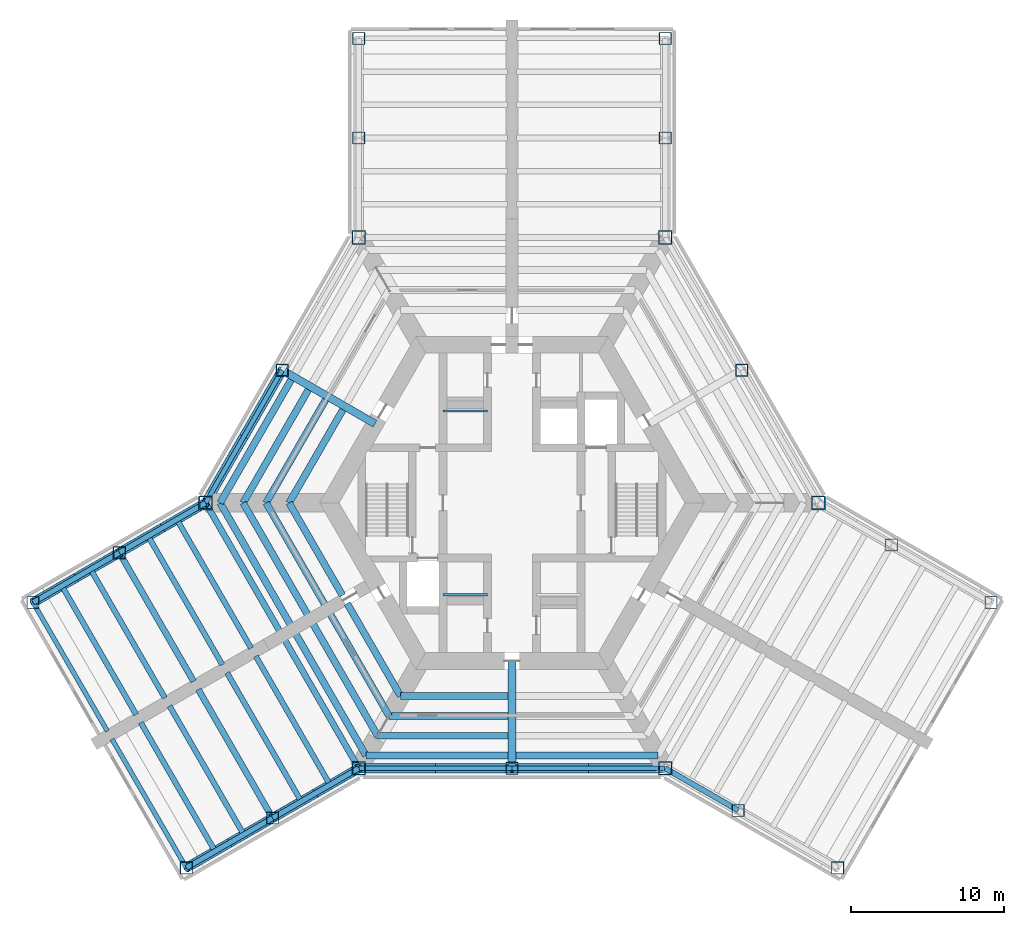
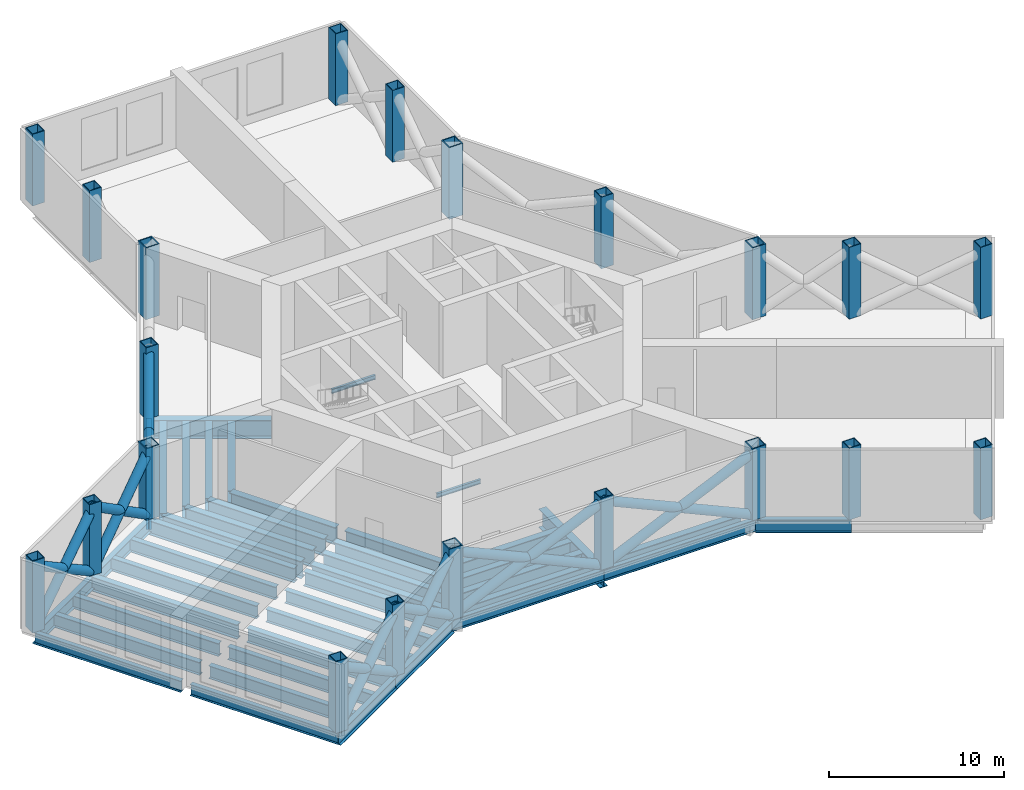
# One storey, part 1 of 8: 43 beams, 21 columns, 14 members.
"""IFC4 building model written with IfcOpenShell, lengths in metres."""

from ifc_helpers import new_model, si_unit, direction, frame, origin, origin_2d, place, context, subcontext, project, spatial, hollow_rectangle, hollow_circle, i_section, extrude, material, material_profile, profile_set, type_object, element, save


model = new_model("IFC4")

# Units and contexts
model_context = context("Model", 3, precision=1e-05, world=origin(), true_north=direction((0.0, 1.0)))
body_context = subcontext(model_context, "Body", "Model", "MODEL_VIEW")
ifc_project = project(units=[si_unit("LENGTHUNIT", "METRE"), si_unit("AREAUNIT", "SQUARE_METRE"), si_unit("VOLUMEUNIT", "CUBIC_METRE"), si_unit("PLANEANGLEUNIT", "RADIAN"), si_unit("MASSUNIT", "GRAM", prefix="KILO")], contexts=[model_context])

# Site, building, storey
site_placement = place(None, origin())
site = spatial("IfcSite", under=ifc_project, at=site_placement, CompositionType="ELEMENT")
building_placement = place(site_placement, origin())
building = spatial("IfcBuilding", under=site, at=building_placement, Name="Kasaneha Research Tower", CompositionType="ELEMENT")
storey_placement = place(building_placement, frame((0.0, 0.0, 123.60009765625)))
storey = spatial("IfcBuildingStorey", under=building, at=storey_placement, Name="L31", CompositionType="ELEMENT", Elevation=123.60009765625)

# Columns
ifc_material_1 = material(Name="Steel SN490C", Category="steel")
ifc_material_profile_1 = material_profile(ifc_material_1, hollow_rectangle(XDim=0.800048828125, YDim=0.800048828125, WallThickness=0.044921875, at=origin_2d()), Name="BOX-800x800x45")
ifc_profile_set_1 = profile_set([ifc_material_profile_1], Name="Steel SN490C")
column_type_1 = type_object("IfcColumnType", Name="C2B column BOX-800x800x45", PredefinedType="COLUMN", material=ifc_profile_set_1)
for number, where, z_axis, x_axis, name in (
    (1, (15.0, 8.66015625, 0.0), (0.0, 0.0, 1.0), (1.0, 0.0, 0.0), "Column M030 L31"),
    (2, (-15.0, 8.66015625, 0.0), (0.0, 0.0, 1.0), (1.0, 0.0, 0.0), "Column M150 L31"),
    (3, (0.0, -17.320556640625, 0.0), (0.0, 0.0, 1.0), (1.0, 0.0, 0.0), "Column M270 L31"),
    (4, (10.0, 23.820556640625, 0.0), (0.0, 0.0, 1.0), (1.0, 0.0, 0.0), "Column ASP L31"),
    (5, (10.0, 30.320556640625, 0.0), (0.0, 0.0, 1.0), (1.0, 0.0, 0.0), "Column ATP L31"),
    (6, (-10.0, 23.820556640625, 0.0), (0.0, 0.0, 1.0), (1.0, 0.0, 0.0), "Column ASN L31"),
    (7, (-10.0, 30.320556640625, 0.0), (0.0, 0.0, 1.0), (1.0, 0.0, 0.0), "Column ATN L31"),
    (8, (-25.629150390625, -3.25, 0.0), (0.0, 0.0, 1.0), (1.0, 0.0, 0.0), "Column BSP L31"),
    (9, (-31.25830078125, -6.5, 0.0), (0.0, 0.0, 1.0), (1.0, 0.0, 0.0), "Column BTP L31"),
    (10, (-15.629150390625, -20.570556640625, 0.0), (0.0, 0.0, 1.0), (1.0, 0.0, 0.0), "Column BSN L31"),
    (11, (-21.25830078125, -23.820556640625, 0.0), (0.0, 0.0, 1.0), (1.0, 0.0, 0.0), "Column BTN L31"),
    (12, (14.76318359375, -20.070556640625, 0.0), (0.0, 0.0, 1.0), (1.0, 0.0, 0.0), "Column CSP L31"),
    (13, (21.25830078125, -23.820556640625, 0.0), (0.0, 0.0, 1.0), (1.0, 0.0, 0.0), "Column CTP L31"),
    (14, (24.76318359375, -2.75, 0.0), (0.0, 0.0, 1.0), (1.0, 0.0, 0.0), "Column CSN L31"),
    (15, (31.25830078125, -6.5, 0.0), (0.0, 0.0, 1.0), (1.0, 0.0, 0.0), "Column CTN L31"),
):
    element("IfcColumn", number, at=place(storey_placement, frame(where, z_axis=z_axis, x_axis=x_axis)), inside=storey, type_object=column_type_1, Name=name, PredefinedType="COLUMN", context=body_context, shape_type="SweptSolid", body=[
        extrude(hollow_rectangle(XDim=0.800048828125, YDim=0.800048828125, WallThickness=0.044921875, at=origin_2d()), origin(), (0.0, 0.0, 1.0), 5.0),
    ])
ifc_material_2 = material(Name="Steel SN490C", Category="steel")
ifc_material_profile_2 = material_profile(ifc_material_2, hollow_rectangle(XDim=0.89990234375, YDim=0.89990234375, WallThickness=0.070068359375, at=origin_2d()), Name="BOX-900x900x70")
ifc_profile_set_2 = profile_set([ifc_material_profile_2], Name="Steel SN490C")
column_type_2 = type_object("IfcColumnType", Name="CT1 column BOX-900x900x70", PredefinedType="COLUMN", material=ifc_profile_set_2)
for number, where, z_axis, x_axis, name in (
    (16, (20.0, 0.0, 0.0), (0.0, 0.0, 1.0), (1.0, 0.0, 0.0), "Column V0 L31"),
    (17, (10.0, 17.320556640625, 0.0), (0.0, 0.0, 1.0), (1.0, 0.0, 0.0), "Column V1 L31"),
    (18, (-10.0, 17.320556640625, 0.0), (0.0, 0.0, 1.0), (1.0, 0.0, 0.0), "Column V2 L31"),
    (19, (-20.0, 0.0, 0.0), (0.0, 0.0, 1.0), (1.0, 0.0, 0.0), "Column V3 L31"),
    (20, (-10.0, -17.320556640625, 0.0), (0.0, 0.0, 1.0), (1.0, 0.0, 0.0), "Column V4 L31"),
    (21, (10.0, -17.320556640625, 0.0), (0.0, 0.0, 1.0), (1.0, 0.0, 0.0), "Column V5 L31"),
):
    element("IfcColumn", number, at=place(storey_placement, frame(where, z_axis=z_axis, x_axis=x_axis)), inside=storey, type_object=column_type_2, Name=name, PredefinedType="COLUMN", context=body_context, shape_type="SweptSolid", body=[
        extrude(hollow_rectangle(XDim=0.89990234375, YDim=0.89990234375, WallThickness=0.070068359375, at=origin_2d()), origin(), (0.0, 0.0, 1.0), 5.0),
    ])

# Beams
ifc_material_3 = material(Name="Steel SN490B", Category="steel")
ifc_material_profile_3 = material_profile(ifc_material_3, i_section(OverallWidth=0.449951171875, OverallDepth=1.199951171875, WebThickness=0.02197265625, FlangeThickness=0.0400390625, at=origin_2d()), Name="BH-1200x450x22x40")
ifc_profile_set_3 = profile_set([ifc_material_profile_3], Name="Steel SN490B")
beam_type_1 = type_object("IfcBeamType", Name="B1-5 secondary beam BH-1200x450x22x40", PredefinedType="JOIST", material=ifc_profile_set_3)
beam_1_placement = place(storey_placement, frame((-14.54931640625, 0.0, -0.85009765625), z_axis=(0.500015274395, 0.866016584929, 0.0), x_axis=(-0.866016584929, 0.500015274395, 0.0)))
element("IfcBeam", 22, at=beam_1_placement, inside=storey, type_object=beam_type_1, Name="Secondary beam RS150R1 L31", PredefinedType="JOIST", context=body_context, shape_type="SweptSolid", body=[
    extrude(i_section(OverallWidth=0.449951171875, OverallDepth=1.199951171875, WebThickness=0.02197265625, FlangeThickness=0.0400390625, at=origin_2d()), origin(), (0.0, 0.0, 1.0), 7.024658203125),
])
beam_2_placement = place(storey_placement, frame((-16.05029296875, 0.0, -0.85009765625), z_axis=(0.499992453835, 0.866029760521, 0.0), x_axis=(-0.866029760521, 0.499992453835, 0.0)))
element("IfcBeam", 23, at=beam_2_placement, inside=storey, type_object=beam_type_1, Name="Secondary beam RS150R2 L31", PredefinedType="JOIST", context=body_context, shape_type="SweptSolid", body=[
    extrude(i_section(OverallWidth=0.449951171875, OverallDepth=1.199951171875, WebThickness=0.02197265625, FlangeThickness=0.0400390625, at=origin_2d()), origin(), (0.0, 0.0, 1.0), 7.77490234375),
])
beam_3_placement = place(storey_placement, frame((-17.551513671875, 0.0, -0.85009765625), z_axis=(0.500004205306, 0.866022975836, 0.0), x_axis=(-0.866022975836, 0.500004205306, 0.0)))
element("IfcBeam", 24, at=beam_3_placement, inside=storey, type_object=beam_type_1, Name="Secondary beam RS150R3 L31", PredefinedType="JOIST", context=body_context, shape_type="SweptSolid", body=[
    extrude(i_section(OverallWidth=0.449951171875, OverallDepth=1.199951171875, WebThickness=0.02197265625, FlangeThickness=0.0400390625, at=origin_2d()), origin(), (0.0, 0.0, 1.0), 8.52587890625),
])
beam_4_placement = place(storey_placement, frame((-19.052490234375, 0.0, -0.85009765625), z_axis=(0.500005712346, 0.866022105735, 0.0), x_axis=(-0.866022105735, 0.500005712346, 0.0)))
element("IfcBeam", 25, at=beam_4_placement, inside=storey, type_object=beam_type_1, Name="Secondary beam RS150R4 L31", PredefinedType="JOIST", context=body_context, shape_type="SweptSolid", body=[
    extrude(i_section(OverallWidth=0.449951171875, OverallDepth=1.199951171875, WebThickness=0.02197265625, FlangeThickness=0.0400390625, at=origin_2d()), origin(), (0.0, 0.0, 1.0), 9.2763671875),
])
beam_5_placement = place(storey_placement, frame((-14.54931640625, 0.0, -0.85009765625), z_axis=(0.499994145342, -0.866028783947, 0.0), x_axis=(0.866028783947, 0.499994145342, 0.0)))
element("IfcBeam", 26, at=beam_5_placement, inside=storey, type_object=beam_type_1, Name="Secondary beam RS210L1 L31", PredefinedType="JOIST", context=body_context, shape_type="SweptSolid", body=[
    extrude(i_section(OverallWidth=0.449951171875, OverallDepth=1.199951171875, WebThickness=0.02197265625, FlangeThickness=0.0400390625, at=origin_2d()), origin(), (0.0, 0.0, 1.0), 6.974609375),
])
beam_6_placement = place(storey_placement, frame((-16.05029296875, 0.0, -0.85009765625), z_axis=(0.499996932259, -0.866027174938, 0.0), x_axis=(0.866027174938, 0.499996932259, 0.0)))
element("IfcBeam", 27, at=beam_6_placement, inside=storey, type_object=beam_type_1, Name="Secondary beam RS210L2 L31", PredefinedType="JOIST", context=body_context, shape_type="SweptSolid", body=[
    extrude(i_section(OverallWidth=0.449951171875, OverallDepth=1.199951171875, WebThickness=0.02197265625, FlangeThickness=0.0400390625, at=origin_2d()), origin(), (0.0, 0.0, 1.0), 7.72509765625),
])
beam_7_placement = place(storey_placement, frame((-17.551513671875, 0.0, -0.85009765625), z_axis=(0.500020829043, -0.866013377797, 0.0), x_axis=(0.866013377797, 0.500020829043, 0.0)))
element("IfcBeam", 28, at=beam_7_placement, inside=storey, type_object=beam_type_1, Name="Secondary beam RS210L3 L31", PredefinedType="JOIST", context=body_context, shape_type="SweptSolid", body=[
    extrude(i_section(OverallWidth=0.449951171875, OverallDepth=1.199951171875, WebThickness=0.02197265625, FlangeThickness=0.0400390625, at=origin_2d()), origin(), (0.0, 0.0, 1.0), 8.475830078125),
])
beam_8_placement = place(storey_placement, frame((-19.052490234375, 0.0, -0.85009765625), z_axis=(0.499989687726, -0.866031357497, 0.0), x_axis=(0.866031357497, 0.499989687726, 0.0)))
element("IfcBeam", 29, at=beam_8_placement, inside=storey, type_object=beam_type_1, Name="Secondary beam RS210L4 L31", PredefinedType="JOIST", context=body_context, shape_type="SweptSolid", body=[
    extrude(i_section(OverallWidth=0.449951171875, OverallDepth=1.199951171875, WebThickness=0.02197265625, FlangeThickness=0.0400390625, at=origin_2d()), origin(), (0.0, 0.0, 1.0), 9.226318359375),
])
beam_9_placement = place(storey_placement, frame((-7.274658203125, -12.60009765625, -0.85009765625), z_axis=(-0.499994145342, 0.866028783947, 0.0), x_axis=(-0.866028783947, -0.499994145342, 0.0)))
element("IfcBeam", 30, at=beam_9_placement, inside=storey, type_object=beam_type_1, Name="Secondary beam RS210R1 L31", PredefinedType="JOIST", context=body_context, shape_type="SweptSolid", body=[
    extrude(i_section(OverallWidth=0.449951171875, OverallDepth=1.199951171875, WebThickness=0.02197265625, FlangeThickness=0.0400390625, at=origin_2d()), origin(), (0.0, 0.0, 1.0), 6.974609375),
])
beam_10_placement = place(storey_placement, frame((-8.025146484375, -13.89990234375, -0.85009765625), z_axis=(-0.499996932259, 0.866027174938, 0.0), x_axis=(-0.866027174938, -0.499996932259, 0.0)))
element("IfcBeam", 31, at=beam_10_placement, inside=storey, type_object=beam_type_1, Name="Secondary beam RS210R2 L31", PredefinedType="JOIST", context=body_context, shape_type="SweptSolid", body=[
    extrude(i_section(OverallWidth=0.449951171875, OverallDepth=1.199951171875, WebThickness=0.02197265625, FlangeThickness=0.0400390625, at=origin_2d()), origin(), (0.0, 0.0, 1.0), 7.72509765625),
])
beam_11_placement = place(storey_placement, frame((-8.775634765625, -15.199951171875, -0.85009765625), z_axis=(-0.500020829043, 0.866013377797, 0.0), x_axis=(-0.866013377797, -0.500020829043, 0.0)))
element("IfcBeam", 32, at=beam_11_placement, inside=storey, type_object=beam_type_1, Name="Secondary beam RS210R3 L31", PredefinedType="JOIST", context=body_context, shape_type="SweptSolid", body=[
    extrude(i_section(OverallWidth=0.449951171875, OverallDepth=1.199951171875, WebThickness=0.02197265625, FlangeThickness=0.0400390625, at=origin_2d()), origin(), (0.0, 0.0, 1.0), 8.475830078125),
])
beam_12_placement = place(storey_placement, frame((-9.5263671875, -16.5, -0.85009765625), z_axis=(-0.499989687726, 0.866031357497, 0.0), x_axis=(-0.866031357497, -0.499989687726, 0.0)))
element("IfcBeam", 33, at=beam_12_placement, inside=storey, type_object=beam_type_1, Name="Secondary beam RS210R4 L31", PredefinedType="JOIST", context=body_context, shape_type="SweptSolid", body=[
    extrude(i_section(OverallWidth=0.449951171875, OverallDepth=1.199951171875, WebThickness=0.02197265625, FlangeThickness=0.0400390625, at=origin_2d()), origin(), (0.0, 0.0, 1.0), 9.226318359375),
])
beam_13_placement = place(storey_placement, frame((-7.274658203125, -12.60009765625, -0.85009765625), z_axis=(1.0, 0.0, 0.0), x_axis=(0.0, 1.0, 0.0)))
element("IfcBeam", 34, at=beam_13_placement, inside=storey, type_object=beam_type_1, Name="Secondary beam RS270L1 L31", PredefinedType="JOIST", context=body_context, shape_type="SweptSolid", body=[
    extrude(i_section(OverallWidth=0.449951171875, OverallDepth=1.199951171875, WebThickness=0.02197265625, FlangeThickness=0.0400390625, at=origin_2d()), origin(), (0.0, 0.0, 1.0), 7.024658203125),
])
beam_14_placement = place(storey_placement, frame((-8.025146484375, -13.89990234375, -0.85009765625), z_axis=(1.0, 0.0, 0.0), x_axis=(0.0, 1.0, 0.0)))
element("IfcBeam", 35, at=beam_14_placement, inside=storey, type_object=beam_type_1, Name="Secondary beam RS270L2 L31", PredefinedType="JOIST", context=body_context, shape_type="SweptSolid", body=[
    extrude(i_section(OverallWidth=0.449951171875, OverallDepth=1.199951171875, WebThickness=0.02197265625, FlangeThickness=0.0400390625, at=origin_2d()), origin(), (0.0, 0.0, 1.0), 7.775146484375),
])
beam_15_placement = place(storey_placement, frame((-8.775634765625, -15.199951171875, -0.85009765625), z_axis=(1.0, 0.0, 0.0), x_axis=(0.0, 1.0, 0.0)))
element("IfcBeam", 36, at=beam_15_placement, inside=storey, type_object=beam_type_1, Name="Secondary beam RS270L3 L31", PredefinedType="JOIST", context=body_context, shape_type="SweptSolid", body=[
    extrude(i_section(OverallWidth=0.449951171875, OverallDepth=1.199951171875, WebThickness=0.02197265625, FlangeThickness=0.0400390625, at=origin_2d()), origin(), (0.0, 0.0, 1.0), 8.525634765625),
])
for number, where, z_axis, x_axis, name in (
    (37, (-9.5263671875, -16.5, -0.85009765625), (1.0, 0.0, 0.0), (0.0, 1.0, 0.0), "Secondary beam RS270L4 L31"),
    (38, (9.5263671875, -16.5, -0.85009765625), (-1.0, 0.0, 0.0), (0.0, -1.0, 0.0), "Secondary beam RS270R4 L31"),
):
    element("IfcBeam", number, at=place(storey_placement, frame(where, z_axis=z_axis, x_axis=x_axis)), inside=storey, type_object=beam_type_1, Name=name, PredefinedType="JOIST", context=body_context, shape_type="SweptSolid", body=[
        extrude(i_section(OverallWidth=0.449951171875, OverallDepth=1.199951171875, WebThickness=0.02197265625, FlangeThickness=0.0400390625, at=origin_2d()), origin(), (0.0, 0.0, 1.0), 9.2763671875),
    ])
ifc_material_4 = material(Name="Steel SN490B", Category="steel")
ifc_material_profile_4 = material_profile(ifc_material_4, i_section(OverallWidth=0.35009765625, OverallDepth=0.89990234375, WebThickness=0.01611328125, FlangeThickness=0.031982421875, at=origin_2d()), Name="BH-900x350x16x32")
ifc_profile_set_4 = profile_set([ifc_material_profile_4], Name="Steel SN490B")
beam_type_2 = type_object("IfcBeamType", Name="B2-5 secondary beam BH-900x350x16x32", PredefinedType="JOIST", material=ifc_profile_set_4)
beam_16_placement = place(storey_placement, frame((-21.87646484375, -1.083251953125, -0.7001953125), z_axis=(0.499999142773, -0.866025898704, 0.0), x_axis=(0.866025898704, 0.499999142773, 0.0)))
element("IfcBeam", 39, at=beam_16_placement, inside=storey, type_object=beam_type_2, Name="Secondary beam WBBP1 L31", PredefinedType="JOIST", context=body_context, shape_type="SweptSolid", body=[
    extrude(i_section(OverallWidth=0.35009765625, OverallDepth=0.89990234375, WebThickness=0.01611328125, FlangeThickness=0.031982421875, at=origin_2d()), origin(), (0.0, 0.0, 1.0), 9.7001953125),
])
beam_17_placement = place(storey_placement, frame((-23.752685546875, -2.166748046875, -0.7001953125), z_axis=(0.499991164321, -0.866030505006, 0.0), x_axis=(0.866030505006, 0.499991164321, 0.0)))
element("IfcBeam", 40, at=beam_17_placement, inside=storey, type_object=beam_type_2, Name="Secondary beam WBBP2 L31", PredefinedType="JOIST", context=body_context, shape_type="SweptSolid", body=[
    extrude(i_section(OverallWidth=0.35009765625, OverallDepth=0.89990234375, WebThickness=0.01611328125, FlangeThickness=0.031982421875, at=origin_2d()), origin(), (0.0, 0.0, 1.0), 9.699951171875),
])
beam_18_placement = place(storey_placement, frame((-27.505615234375, -4.333251953125, -0.7001953125), z_axis=(0.499999142773, -0.866025898704, 0.0), x_axis=(0.866025898704, 0.499999142773, 0.0)))
element("IfcBeam", 41, at=beam_18_placement, inside=storey, type_object=beam_type_2, Name="Secondary beam WBBP3 L31", PredefinedType="JOIST", context=body_context, shape_type="SweptSolid", body=[
    extrude(i_section(OverallWidth=0.35009765625, OverallDepth=0.89990234375, WebThickness=0.01611328125, FlangeThickness=0.031982421875, at=origin_2d()), origin(), (0.0, 0.0, 1.0), 9.7001953125),
])
for number, where, z_axis, x_axis, name in (
    (42, (-29.3818359375, -5.416748046875, -0.7001953125), (0.499991164321, -0.866030505006, 0.0), (0.866030505006, 0.499991164321, 0.0), "Secondary beam WBBP4 L31"),
    (43, (-11.87646484375, -18.40380859375, -0.7001953125), (-0.499991164321, 0.866030505006, 0.0), (-0.866030505006, -0.499991164321, 0.0), "Secondary beam WBBN1 L31"),
    (44, (-13.752685546875, -19.487060546875, -0.7001953125), (-0.500010041276, 0.866019606374, 0.0), (-0.866019606374, -0.500010041276, 0.0), "Secondary beam WBBN2 L31"),
    (45, (-17.505615234375, -21.65380859375, -0.7001953125), (-0.499991164321, 0.866030505006, 0.0), (-0.866030505006, -0.499991164321, 0.0), "Secondary beam WBBN3 L31"),
    (46, (-19.3818359375, -22.737060546875, -0.7001953125), (-0.500010041276, 0.866019606374, 0.0), (-0.866019606374, -0.500010041276, 0.0), "Secondary beam WBBN4 L31"),
):
    element("IfcBeam", number, at=place(storey_placement, frame(where, z_axis=z_axis, x_axis=x_axis)), inside=storey, type_object=beam_type_2, Name=name, PredefinedType="JOIST", context=body_context, shape_type="SweptSolid", body=[
        extrude(i_section(OverallWidth=0.35009765625, OverallDepth=0.89990234375, WebThickness=0.01611328125, FlangeThickness=0.031982421875, at=origin_2d()), origin(), (0.0, 0.0, 1.0), 9.699951171875),
    ])
ifc_material_5 = material(Name="Steel SN490B", Category="steel")
ifc_material_profile_5 = material_profile(ifc_material_5, i_section(OverallWidth=0.35009765625, OverallDepth=0.89990234375, WebThickness=0.01611328125, FlangeThickness=0.031982421875, at=origin_2d()), Name="BH-900x350x16x32")
ifc_profile_set_5 = profile_set([ifc_material_profile_5], Name="Steel SN490B")
beam_type_3 = type_object("IfcBeamType", Name="BC1-5 belt chord BH-900x350x16x32", PredefinedType="BEAM", material=ifc_profile_set_5)
for number, where, z_axis, x_axis, name in (
    (47, (-20.0, 0.0, -0.7001953125), (-0.866024837091, -0.50000098154, 0.0), (0.50000098154, -0.866024837091, 0.0), "Belt chord WSBP1 L31"),
    (48, (-10.0, -17.320556640625, -0.7001953125), (-0.866024837091, -0.50000098154, 0.0), (0.50000098154, -0.866024837091, 0.0), "Belt chord WSBN1 L31"),
):
    element("IfcBeam", number, at=place(storey_placement, frame(where, z_axis=z_axis, x_axis=x_axis)), inside=storey, type_object=beam_type_3, Name=name, PredefinedType="BEAM", context=body_context, shape_type="SweptSolid", body=[
        extrude(i_section(OverallWidth=0.35009765625, OverallDepth=0.89990234375, WebThickness=0.01611328125, FlangeThickness=0.031982421875, at=origin_2d()), origin(), (0.0, 0.0, 1.0), 6.5),
    ])
beam_19_placement = place(storey_placement, frame((10.0, -17.320556640625, -0.7001953125), z_axis=(0.866027397988, -0.499996545922, 0.0), x_axis=(0.499996545922, 0.866027397988, 0.0)))
element("IfcBeam", 49, at=beam_19_placement, inside=storey, type_object=beam_type_3, Name="Belt chord WSCP1 L31", PredefinedType="BEAM", context=body_context, shape_type="SweptSolid", body=[
    extrude(i_section(OverallWidth=0.35009765625, OverallDepth=0.89990234375, WebThickness=0.01611328125, FlangeThickness=0.031982421875, at=origin_2d()), origin(), (0.0, 0.0, 1.0), 5.5),
])

# Members
ifc_material_6 = material(Name="Steel STKN490B", Category="steel")
ifc_material_profile_6 = material_profile(ifc_material_6, hollow_circle(Radius=0.3046875, WallThickness=0.031982421875, at=origin_2d()), Name="CHS-609.6x32.0")
ifc_profile_set_6 = profile_set([ifc_material_profile_6], Name="Steel STKN490B")
member_type = type_object("IfcMemberType", Name="BT2 belt truss diagonal CHS-609.6x32.0", PredefinedType="BRACE", material=ifc_profile_set_6)
for number, where, z_axis, x_axis, name in (
    (50, (-31.1552734375, -6.440673828125, 0.09130859375), (0.720333952906, 0.415906535478, 0.555104269518), (-0.500019416524, 0.866014193359, 0.0), "Belt truss diagonal 1a L31"),
    (51, (-25.732177734375, -3.309326171875, 0.09130859375), (-0.720333952906, -0.415906535478, 0.555104269518), (0.500019416524, -0.866014193359, 0.0), "Belt truss diagonal 1b L31"),
):
    element("IfcMember", number, at=place(storey_placement, frame(where, z_axis=z_axis, x_axis=x_axis)), inside=storey, type_object=member_type, Name=name, PredefinedType="BRACE", context=body_context, shape_type="SweptSolid", body=[
        extrude(hollow_circle(Radius=0.3046875, WallThickness=0.031982421875, at=origin_2d()), origin(), (0.0, 0.0, 1.0), 7.671630859375),
    ])
for number, where, z_axis, x_axis, name in (
    (52, (-25.526123046875, -3.190673828125, 0.09130859375), (0.709898634018, 0.409881389352, 0.572748789682), (-0.500019416524, 0.866014193359, 0.0), "Belt truss diagonal 2a L31"),
    (53, (-20.10302734375, -0.059326171875, 0.09130859375), (-0.709898634018, -0.409881389352, 0.572748789682), (0.500019416524, -0.866014193359, 0.0), "Belt truss diagonal 2b L31"),
):
    element("IfcMember", number, at=place(storey_placement, frame(where, z_axis=z_axis, x_axis=x_axis)), inside=storey, type_object=member_type, Name=name, PredefinedType="BRACE", context=body_context, shape_type="SweptSolid", body=[
        extrude(hollow_circle(Radius=0.3046875, WallThickness=0.031982421875, at=origin_2d()), origin(), (0.0, 0.0, 1.0), 7.784423828125),
    ])
for number, where, z_axis, x_axis, name in (
    (54, (-19.932861328125, 0.1162109375, 0.06689453125), (0.456039552328, 0.789881721023, 0.410018040465), (-0.866024868229, 0.500000927608, 0.0), "Belt truss diagonal 3a L31"),
    (55, (-15.067138671875, 8.5439453125, 0.06689453125), (-0.456039552328, -0.789881721023, 0.410018040465), (0.866024868229, -0.500000927608, 0.0), "Belt truss diagonal 3b L31"),
    (56, (9.86572265625, -17.320556640625, 0.06689453125), (-0.912077697022, 0.0, 0.410017407674), (0.0, -1.0, 0.0), "Belt truss diagonal 15a L31"),
    (57, (0.13427734375, -17.320556640625, 0.06689453125), (0.912077697022, 0.0, 0.410017407674), (0.0, 1.0, 0.0), "Belt truss diagonal 15b L31"),
    (58, (-0.13427734375, -17.320556640625, 0.06689453125), (-0.912077697022, 0.0, 0.410017407674), (0.0, -1.0, 0.0), "Belt truss diagonal 16a L31"),
    (59, (-9.86572265625, -17.320556640625, 0.06689453125), (0.912077697022, 0.0, 0.410017407674), (0.0, 1.0, 0.0), "Belt truss diagonal 16b L31"),
):
    element("IfcMember", number, at=place(storey_placement, frame(where, z_axis=z_axis, x_axis=x_axis)), inside=storey, type_object=member_type, Name=name, PredefinedType="BRACE", context=body_context, shape_type="SweptSolid", body=[
        extrude(hollow_circle(Radius=0.3046875, WallThickness=0.031982421875, at=origin_2d()), origin(), (0.0, 0.0, 1.0), 10.816650390625),
    ])
member_1_placement = place(storey_placement, frame((-10.10302734375, -17.3798828125, 0.09130859375), z_axis=(-0.709898634018, -0.409881389352, 0.572748789682), x_axis=(0.500019416524, -0.866014193359, 0.0)))
element("IfcMember", 60, at=member_1_placement, inside=storey, type_object=member_type, Name="Belt truss diagonal 17a L31", PredefinedType="BRACE", context=body_context, shape_type="SweptSolid", body=[
    extrude(hollow_circle(Radius=0.3046875, WallThickness=0.031982421875, at=origin_2d()), origin(), (0.0, 0.0, 1.0), 7.784423828125),
])
member_2_placement = place(storey_placement, frame((-15.526123046875, -20.510986328125, 0.09130859375), z_axis=(0.709907759633, 0.409855295025, 0.572756152261), x_axis=(-0.499990721473, 0.866030760678, 0.0)))
element("IfcMember", 61, at=member_2_placement, inside=storey, type_object=member_type, Name="Belt truss diagonal 17b L31", PredefinedType="BRACE", context=body_context, shape_type="SweptSolid", body=[
    extrude(hollow_circle(Radius=0.3046875, WallThickness=0.031982421875, at=origin_2d()), origin(), (0.0, 0.0, 1.0), 7.7841796875),
])
for number, where, z_axis, x_axis, name in (
    (62, (-15.732177734375, -20.6298828125, 0.09130859375), (-0.720333952906, -0.415906535478, 0.555104269518), (0.500019416524, -0.866014193359, 0.0), "Belt truss diagonal 18a L31"),
    (63, (-21.1552734375, -23.760986328125, 0.09130859375), (0.720343486904, 0.415880215898, 0.555111616614), (-0.499990721473, 0.866030760678, 0.0), "Belt truss diagonal 18b L31"),
):
    element("IfcMember", number, at=place(storey_placement, frame(where, z_axis=z_axis, x_axis=x_axis)), inside=storey, type_object=member_type, Name=name, PredefinedType="BRACE", context=body_context, shape_type="SweptSolid", body=[
        extrude(hollow_circle(Radius=0.3046875, WallThickness=0.031982421875, at=origin_2d()), origin(), (0.0, 0.0, 1.0), 7.671630859375),
    ])

# Beams
ifc_material_7 = material(Name="Steel SN490B", Category="steel")
ifc_material_profile_7 = material_profile(ifc_material_7, i_section(OverallWidth=0.5, OverallDepth=1.300048828125, WebThickness=0.02197265625, FlangeThickness=0.044921875, at=origin_2d()), Name="BH-1300x500x22x45")
ifc_profile_set_7 = profile_set([ifc_material_profile_7], Name="Steel SN490B")
beam_type_4 = type_object("IfcBeamType", Name="G2-5 radial girder BH-1300x500x22x45", PredefinedType="BEAM", material=ifc_profile_set_7)
beam_20_placement = place(storey_placement, frame((-8.941650390625, 5.16259765625, -0.900146484375), z_axis=(-0.866039713508, 0.499975214012, 0.0), x_axis=(-0.499975214012, -0.866039713508, 0.0)))
element("IfcBeam", 64, at=beam_20_placement, inside=storey, type_object=beam_type_4, Name="Radial girder RM150 L31", PredefinedType="BEAM", context=body_context, shape_type="SweptSolid", body=[
    extrude(i_section(OverallWidth=0.5, OverallDepth=1.300048828125, WebThickness=0.02197265625, FlangeThickness=0.044921875, at=origin_2d()), origin(), (0.0, 0.0, 1.0), 6.995361328125),
])
beam_21_placement = place(storey_placement, frame((0.0, -10.324951171875, -0.900146484375), z_axis=(0.0, -1.0, 0.0), x_axis=(1.0, 0.0, 0.0)))
element("IfcBeam", 65, at=beam_21_placement, inside=storey, type_object=beam_type_4, Name="Radial girder RM270 L31", PredefinedType="BEAM", context=body_context, shape_type="SweptSolid", body=[
    extrude(i_section(OverallWidth=0.5, OverallDepth=1.300048828125, WebThickness=0.02197265625, FlangeThickness=0.044921875, at=origin_2d()), origin(), (0.0, 0.0, 1.0), 6.99560546875),
])
ifc_material_8 = material(Name="Steel SN490B", Category="steel")
ifc_material_profile_8 = material_profile(ifc_material_8, i_section(OverallWidth=0.39990234375, OverallDepth=1.0, WebThickness=0.01904296875, FlangeThickness=0.035888671875, at=origin_2d()), Name="BH-1000x400x19x36")
ifc_profile_set_8 = profile_set([ifc_material_profile_8], Name="Steel SN490B")
beam_type_5 = type_object("IfcBeamType", Name="G3-5 plate edge girder BH-1000x400x19x36", PredefinedType="BEAM", material=ifc_profile_set_8)
for number, where, z_axis, x_axis, name in (
    (66, (-20.0, 0.0, -0.75), (0.500010041276, -0.866019606374, 0.0), (0.866019606374, 0.500010041276, 0.0), "Plate edge girder PEBP L31"),
    (67, (-10.0, -17.320556640625, -0.75), (-0.500010041276, 0.866019606374, 0.0), (-0.866019606374, -0.500010041276, 0.0), "Plate edge girder PEBN L31"),
):
    element("IfcBeam", number, at=place(storey_placement, frame(where, z_axis=z_axis, x_axis=x_axis)), inside=storey, type_object=beam_type_5, Name=name, PredefinedType="BEAM", context=body_context, shape_type="SweptSolid", body=[
        extrude(i_section(OverallWidth=0.39990234375, OverallDepth=1.0, WebThickness=0.01904296875, FlangeThickness=0.035888671875, at=origin_2d()), origin(), (0.0, 0.0, 1.0), 9.699951171875),
    ])
ifc_material_9 = material(Name="Steel SN490B", Category="steel")
ifc_material_profile_9 = material_profile(ifc_material_9, i_section(OverallWidth=0.39990234375, OverallDepth=1.0, WebThickness=0.01904296875, FlangeThickness=0.035888671875, at=origin_2d()), Name="BH-1000x400x19x36")
ifc_profile_set_9 = profile_set([ifc_material_profile_9], Name="Steel SN490B")
beam_type_6 = type_object("IfcBeamType", Name="G4-5 wing girder BH-1000x400x19x36", PredefinedType="BEAM", material=ifc_profile_set_9)
for number, where, z_axis, x_axis, name in (
    (68, (-25.629150390625, -3.25, -0.75), (0.500010041276, -0.866019606374, 0.0), (0.866019606374, 0.500010041276, 0.0), "Wing girder WGBP L31"),
    (69, (-15.629150390625, -20.570556640625, -0.75), (-0.500010041276, 0.866019606374, 0.0), (-0.866019606374, -0.500010041276, 0.0), "Wing girder WGBN L31"),
):
    element("IfcBeam", number, at=place(storey_placement, frame(where, z_axis=z_axis, x_axis=x_axis)), inside=storey, type_object=beam_type_6, Name=name, PredefinedType="BEAM", context=body_context, shape_type="SweptSolid", body=[
        extrude(i_section(OverallWidth=0.39990234375, OverallDepth=1.0, WebThickness=0.01904296875, FlangeThickness=0.035888671875, at=origin_2d()), origin(), (0.0, 0.0, 1.0), 9.699951171875),
    ])
ifc_material_10 = material(Name="Steel SN490B", Category="steel")
ifc_material_profile_10 = material_profile(ifc_material_10, i_section(OverallWidth=0.14990234375, OverallDepth=0.300048828125, WebThickness=0.006591796875, FlangeThickness=0.009033203125, FilletRadius=0.012939453125, at=origin_2d()), Name="H-300x150x6.5x9")
ifc_profile_set_10 = profile_set([ifc_material_profile_10], Name="Steel SN490B")
beam_type_7 = type_object("IfcBeamType", Name="HB1 lift hoist beam H-300x150x6.5x9", PredefinedType="BEAM", material=ifc_profile_set_10)
for number, where, z_axis, x_axis, name in (
    (70, (-4.5, 6.0, -0.4501953125), (1.0, 0.0, 0.0), (0.0, 1.0, 0.0), "Lift hoist beam LO1"),
    (71, (-4.5, -6.0, -0.4501953125), (1.0, 0.0, 0.0), (0.0, 1.0, 0.0), "Lift hoist beam LO2"),
):
    element("IfcBeam", number, at=place(storey_placement, frame(where, z_axis=z_axis, x_axis=x_axis)), inside=storey, type_object=beam_type_7, Name=name, PredefinedType="BEAM", context=body_context, shape_type="SweptSolid", body=[
        extrude(i_section(OverallWidth=0.14990234375, OverallDepth=0.300048828125, WebThickness=0.006591796875, FlangeThickness=0.009033203125, FilletRadius=0.012939453125, at=origin_2d()), origin(), (0.0, 0.0, 1.0), 2.89990234375),
    ])
ifc_material_11 = material(Name="Steel SN490B", Category="steel")
ifc_material_profile_11 = material_profile(ifc_material_11, i_section(OverallWidth=0.300048828125, OverallDepth=0.800048828125, WebThickness=0.013916015625, FlangeThickness=0.02587890625, FilletRadius=0.01806640625, at=origin_2d()), Name="H-800x300x14x26")
ifc_profile_set_11 = profile_set([ifc_material_profile_11], Name="Steel SN490B")
beam_type_8 = type_object("IfcBeamType", Name="SB1-5 spandrel beam H-800x300x14x26", PredefinedType="SPANDREL", material=ifc_profile_set_11)
for number, where, z_axis, x_axis, name in (
    (72, (-20.0, 0.0, -0.650146484375), (0.500004234368, 0.866022959057, 0.0), (-0.866022959057, 0.500004234368, 0.0), "Spandrel beam SR150R L31"),
    (73, (-10.0, -17.320556640625, -0.650146484375), (1.0, 0.0, 0.0), (0.0, 1.0, 0.0), "Spandrel beam SR270L L31"),
    (74, (10.0, -17.320556640625, -0.650146484375), (-1.0, 0.0, 0.0), (0.0, -1.0, 0.0), "Spandrel beam SR270R L31"),
):
    element("IfcBeam", number, at=place(storey_placement, frame(where, z_axis=z_axis, x_axis=x_axis)), inside=storey, type_object=beam_type_8, Name=name, PredefinedType="SPANDREL", context=body_context, shape_type="SweptSolid", body=[
        extrude(i_section(OverallWidth=0.300048828125, OverallDepth=0.800048828125, WebThickness=0.013916015625, FlangeThickness=0.02587890625, FilletRadius=0.01806640625, at=origin_2d()), origin(), (0.0, 0.0, 1.0), 10.0),
    ])
ifc_material_12 = material(Name="Steel SN490B", Category="steel")
ifc_material_profile_12 = material_profile(ifc_material_12, i_section(OverallWidth=0.35009765625, OverallDepth=0.89990234375, WebThickness=0.01611328125, FlangeThickness=0.031982421875, at=origin_2d()), Name="BH-900x350x16x32")
ifc_profile_set_12 = profile_set([ifc_material_profile_12], Name="Steel SN490B")
beam_type_9 = type_object("IfcBeamType", Name="SB2-5 spandrel beam BH-900x350x16x32", PredefinedType="SPANDREL", material=ifc_profile_set_12)
for number, where, z_axis, x_axis, name in (
    (75, (-25.629150390625, -3.25, -0.7001953125), (-0.866024837091, -0.50000098154, 0.0), (0.50000098154, -0.866024837091, 0.0), "Spandrel beam WSBP2 L31"),
    (76, (-15.629150390625, -20.570556640625, -0.7001953125), (-0.866024837091, -0.50000098154, 0.0), (0.50000098154, -0.866024837091, 0.0), "Spandrel beam WSBN2 L31"),
):
    element("IfcBeam", number, at=place(storey_placement, frame(where, z_axis=z_axis, x_axis=x_axis)), inside=storey, type_object=beam_type_9, Name=name, PredefinedType="SPANDREL", context=body_context, shape_type="SweptSolid", body=[
        extrude(i_section(OverallWidth=0.35009765625, OverallDepth=0.89990234375, WebThickness=0.01611328125, FlangeThickness=0.031982421875, at=origin_2d()), origin(), (0.0, 0.0, 1.0), 6.5),
    ])
ifc_material_13 = material(Name="Steel SN490B", Category="steel")
ifc_material_profile_13 = material_profile(ifc_material_13, i_section(OverallWidth=0.300048828125, OverallDepth=0.7919921875, WebThickness=0.013916015625, FlangeThickness=0.02197265625, FilletRadius=0.01806640625, at=origin_2d()), Name="H-792x300x14x22")
ifc_profile_set_13 = profile_set([ifc_material_profile_13], Name="Steel SN490B")
beam_type_10 = type_object("IfcBeamType", Name="SB3-5 spandrel beam H-792x300x14x22", PredefinedType="SPANDREL", material=ifc_profile_set_13)
for number, where, z_axis, x_axis, name in (
    (77, (-31.25830078125, -6.5, -0.64599609375), (0.499991164321, -0.866030505006, 0.0), (0.866030505006, 0.499991164321, 0.0), "Spandrel beam WTBP L31"),
    (78, (-21.25830078125, -23.820556640625, -0.64599609375), (-0.500010041276, 0.866019606374, 0.0), (-0.866019606374, -0.500010041276, 0.0), "Spandrel beam WTBN L31"),
):
    element("IfcBeam", number, at=place(storey_placement, frame(where, z_axis=z_axis, x_axis=x_axis)), inside=storey, type_object=beam_type_10, Name=name, PredefinedType="SPANDREL", context=body_context, shape_type="SweptSolid", body=[
        extrude(i_section(OverallWidth=0.300048828125, OverallDepth=0.7919921875, WebThickness=0.013916015625, FlangeThickness=0.02197265625, FilletRadius=0.01806640625, at=origin_2d()), origin(), (0.0, 0.0, 1.0), 9.699951171875),
    ])

save(model, "model.ifc")
